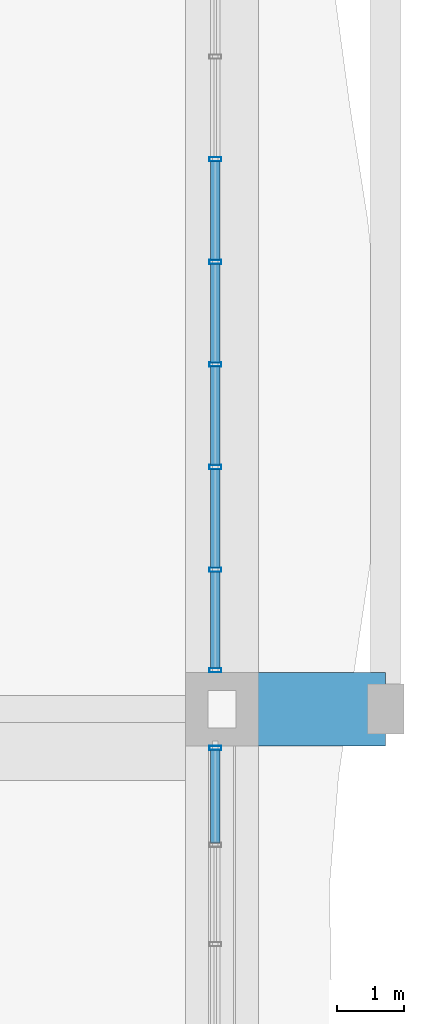
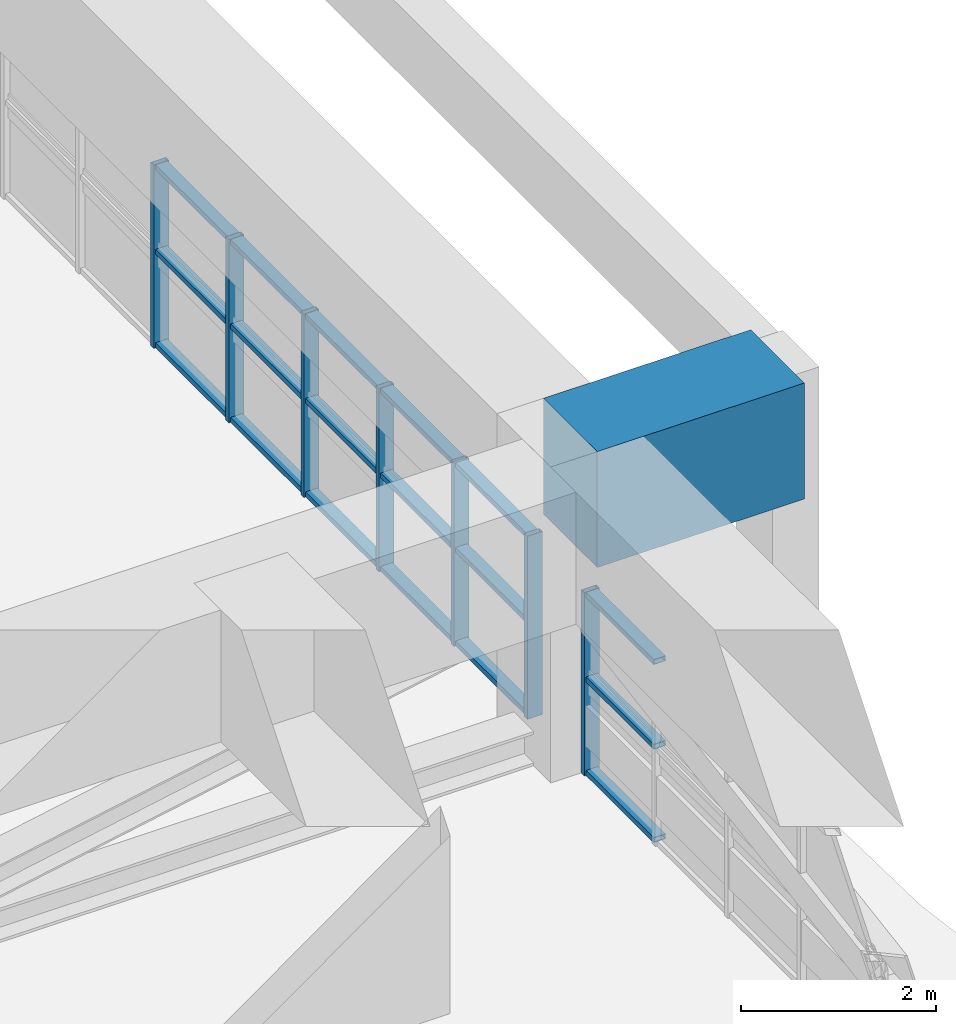
# One storey, part 15 of 35: 25 members, 1 beam, 2 elements without a shape of their own.
"""IFC4 building model written with IfcOpenShell, lengths in metres."""

from ifc_helpers import new_model, si_unit, direction, frame, origin, origin_2d, place, context, subcontext, project, spatial, rectangle, hollow_rectangle, extrude, source, transform, mapped, material, layer, layer_set, material_profile, profile_set, type_object, element, aggregate, save


model = new_model("IFC4")

# Units and contexts
model_context = context("Model", 3, precision=1e-05, world=origin(), true_north=direction((0.0, 1.0)))
body_context = subcontext(model_context, "Body", "Model", "MODEL_VIEW")
ifc_project = project(units=[si_unit("LENGTHUNIT", "METRE"), si_unit("AREAUNIT", "SQUARE_METRE"), si_unit("VOLUMEUNIT", "CUBIC_METRE"), si_unit("PLANEANGLEUNIT", "RADIAN"), si_unit("MASSUNIT", "GRAM", prefix="KILO")], contexts=[model_context])

# Site, building, storey
site_placement = place(None, origin())
site = spatial("IfcSite", under=ifc_project, at=site_placement, CompositionType="ELEMENT")
building_placement = place(site_placement, origin())
building = spatial("IfcBuilding", under=site, at=building_placement, Name="Saelheon Loggia Tower", CompositionType="ELEMENT")
storey_placement = place(building_placement, frame((0.0, 0.0, 70.39990234375)))
storey = spatial("IfcBuildingStorey", under=building, at=storey_placement, Name="L22", CompositionType="ELEMENT", Elevation=70.39990234375)

# Beam
ifc_material_1 = material(Name="Concrete C50/60", Category="concrete")
ifc_material_profile_1 = material_profile(ifc_material_1, rectangle(XDim=1.10009765625, YDim=1.449951171875, at=origin_2d()), Name="RC-1100x1450")
ifc_profile_set_1 = profile_set([ifc_material_profile_1], Name="Concrete C50/60")
beam_type = type_object("IfcBeamType", Name="Beam_PerimTransfer_RC1100x1450", PredefinedType="BEAM", material=ifc_profile_set_1)
shared_shape_1 = source(origin(), body_context, "Body", "SweptSolid", [
    extrude(rectangle(XDim=1.10009765625, YDim=1.449951171875, at=origin_2d()), origin(), (0.0, 0.0, 1.0), 2.449951171875),
])
beam_placement = place(storey_placement, frame((64.0, 18.0, 3.22509765625), z_axis=(1.0, 0.0, 0.0), x_axis=(0.0, 1.0, 0.0)))
element("IfcBeam", 1, at=beam_placement, inside=storey, type_object=beam_type, Name="L22 Loggia Frame Tie Beam LP-E1", PredefinedType="BEAM", context=body_context, shape_type="MappedRepresentation", body=[
    mapped(shared_shape_1, transform((0.0, 0.0, 0.0), scale=1.0)),
])

# Curtain wall, member
ifc_material_2 = material(Name="Anodised Aluminium Acoustic Louvre Curtain Wall", Category="aluminium")
ifc_layer = layer(ifc_material_2, 0.179931640625)
ifc_layer_set = layer_set([ifc_layer], Name="Anodised Aluminium Acoustic Louvre Curtain Wall")
curtain_wall_type = type_object("IfcCurtainWallType", Name="CW_RefugeAcoustic", PredefinedType="NOTDEFINED", material=ifc_layer_set)
curtain_wall_1_placement = place(storey_placement, origin())
curtain_wall_1 = element("IfcCurtainWall", 2, at=curtain_wall_1_placement, inside=storey, type_object=curtain_wall_type, Name="L22 E Refuge Acoustic Curtain Wall 1", PredefinedType="NOTDEFINED")
ifc_material_3 = material(Name="Anodised Aluminium 6063-T6", Category="aluminium")
ifc_material_profile_2 = material_profile(ifc_material_3, hollow_rectangle(XDim=0.06494140625, YDim=0.179931640625, WallThickness=0.00390625, at=origin_2d()), Name="RHS-180x65x4")
ifc_profile_set_2 = profile_set([ifc_material_profile_2], Name="Anodised Aluminium 6063-T6")
member_type_1 = type_object("IfcMemberType", Name="CW_RefugeAcoustic_Mullion", PredefinedType="MULLION", material=ifc_profile_set_2)
shared_shape_2 = source(origin(), body_context, "Body", "SweptSolid", [
    extrude(hollow_rectangle(XDim=0.06494140625, YDim=0.179931640625, WallThickness=0.00390625, at=origin_2d()), origin(), (0.0, 0.0, 1.0), 2.2900390625),
])
member_1_placement = place(storey_placement, frame((63.89990234375, 17.41748046875, 0.0), z_axis=(0.0, 0.0, 1.0), x_axis=(0.0, 1.0, 0.0)))
member_1 = element("IfcMember", 3, at=member_1_placement, type_object=member_type_1, Name="CW5 mullion 8", PredefinedType="MULLION", context=body_context, shape_type="MappedRepresentation", body=[
    mapped(shared_shape_2, transform((0.0, 0.0, 0.0), scale=1.0)),
])

# Curtain wall, members
curtain_wall_2_placement = place(storey_placement, origin())
curtain_wall_2 = element("IfcCurtainWall", 4, at=curtain_wall_2_placement, inside=storey, type_object=curtain_wall_type, Name="L22 E Refuge Acoustic Curtain Wall 2", PredefinedType="NOTDEFINED")
member_2_placement = place(storey_placement, frame((63.89990234375, 18.58251953125, 0.0), z_axis=(0.0, 0.0, 1.0), x_axis=(0.0, 1.0, 0.0)))
member_2 = element("IfcMember", 5, at=member_2_placement, type_object=member_type_1, Name="CW5 mullion 1", PredefinedType="MULLION", context=body_context, shape_type="MappedRepresentation", body=[
    mapped(shared_shape_2, transform((0.0, 0.0, 0.0), scale=1.0)),
])
member_3_placement = place(storey_placement, frame((63.89990234375, 20.08642578125, 0.0), z_axis=(0.0, 0.0, 1.0), x_axis=(0.0, 1.0, 0.0)))
member_3 = element("IfcMember", 6, at=member_3_placement, type_object=member_type_1, Name="CW5 mullion 2", PredefinedType="MULLION", context=body_context, shape_type="MappedRepresentation", body=[
    mapped(shared_shape_2, transform((0.0, 0.0, 0.0), scale=1.0)),
])
member_4_placement = place(storey_placement, frame((63.89990234375, 21.622802734375, 0.0), z_axis=(0.0, 0.0, 1.0), x_axis=(0.0, 1.0, 0.0)))
member_4 = element("IfcMember", 7, at=member_4_placement, type_object=member_type_1, Name="CW5 mullion 3", PredefinedType="MULLION", context=body_context, shape_type="MappedRepresentation", body=[
    mapped(shared_shape_2, transform((0.0, 0.0, 0.0), scale=1.0)),
])
member_5_placement = place(storey_placement, frame((63.89990234375, 23.1591796875, 0.0), z_axis=(0.0, 0.0, 1.0), x_axis=(0.0, 1.0, 0.0)))
member_5 = element("IfcMember", 8, at=member_5_placement, type_object=member_type_1, Name="CW5 mullion 4", PredefinedType="MULLION", context=body_context, shape_type="MappedRepresentation", body=[
    mapped(shared_shape_2, transform((0.0, 0.0, 0.0), scale=1.0)),
])
member_6_placement = place(storey_placement, frame((63.89990234375, 24.695556640625, 0.0), z_axis=(0.0, 0.0, 1.0), x_axis=(0.0, 1.0, 0.0)))
member_6 = element("IfcMember", 9, at=member_6_placement, type_object=member_type_1, Name="CW5 mullion 5", PredefinedType="MULLION", context=body_context, shape_type="MappedRepresentation", body=[
    mapped(shared_shape_2, transform((0.0, 0.0, 0.0), scale=1.0)),
])
member_7_placement = place(storey_placement, frame((63.89990234375, 26.23193359375, 0.0), z_axis=(0.0, 0.0, 1.0), x_axis=(0.0, 1.0, 0.0)))
member_7 = element("IfcMember", 10, at=member_7_placement, type_object=member_type_1, Name="CW5 mullion 6", PredefinedType="MULLION", context=body_context, shape_type="MappedRepresentation", body=[
    mapped(shared_shape_2, transform((0.0, 0.0, 0.0), scale=1.0)),
])

# Member
ifc_material_profile_3 = material_profile(ifc_material_3, hollow_rectangle(XDim=0.06494140625, YDim=0.139892578125, WallThickness=0.00390625, at=origin_2d()), Name="RHS-140x65x4")
ifc_profile_set_3 = profile_set([ifc_material_profile_3], Name="Anodised Aluminium 6063-T6")
member_type_2 = type_object("IfcMemberType", Name="CW_RefugeAcoustic_Transom", PredefinedType="USERDEFINED", material=ifc_profile_set_3)
shared_shape_3 = source(origin(), body_context, "Body", "SweptSolid", [
    extrude(hollow_rectangle(XDim=0.06494140625, YDim=0.139892578125, WallThickness=0.00390625, at=origin_2d()), origin(), (0.0, 0.0, 1.0), 1.38818359375),
])
member_8_placement = place(storey_placement, frame((63.89990234375, 15.996826171875, 0.03271484375), z_axis=(0.0, 1.0, 0.0), x_axis=(0.0, 0.0, 1.0)))
member_8 = element("IfcMember", 11, at=member_8_placement, type_object=member_type_2, Name="CW5 transom 7.1", ObjectType="TRANSOM", PredefinedType="USERDEFINED", context=body_context, shape_type="MappedRepresentation", body=[
    mapped(shared_shape_3, transform((0.0, 0.0, 0.0), scale=1.0)),
])

member_9_placement = place(storey_placement, frame((63.89990234375, 15.996826171875, 1.2001953125), z_axis=(0.0, 1.0, 0.0), x_axis=(0.0, 0.0, 1.0)))
member_9 = element("IfcMember", 12, at=member_9_placement, type_object=member_type_2, Name="CW5 transom 7.2", ObjectType="TRANSOM", PredefinedType="USERDEFINED", context=body_context, shape_type="MappedRepresentation", body=[
    mapped(shared_shape_3, transform((0.0, 0.0, 0.0), scale=1.0)),
])

member_10_placement = place(storey_placement, frame((63.89990234375, 15.996826171875, 2.257568359375), z_axis=(0.0, 1.0, 0.0), x_axis=(0.0, 0.0, 1.0)))
member_10 = element("IfcMember", 13, at=member_10_placement, type_object=member_type_2, Name="CW5 transom 7.3", ObjectType="TRANSOM", PredefinedType="USERDEFINED", context=body_context, shape_type="MappedRepresentation", body=[
    mapped(shared_shape_3, transform((0.0, 0.0, 0.0), scale=1.0)),
])

aggregate(curtain_wall_1, [member_1, member_8, member_9, member_10])

shared_shape_4 = source(origin(), body_context, "Body", "SweptSolid", [
    extrude(hollow_rectangle(XDim=0.06494140625, YDim=0.139892578125, WallThickness=0.00390625, at=origin_2d()), origin(), (0.0, 0.0, 1.0), 1.43896484375),
])
member_11_placement = place(storey_placement, frame((63.89990234375, 18.614990234375, 0.03271484375), z_axis=(0.0, 1.0, 0.0), x_axis=(0.0, 0.0, 1.0)))
member_11 = element("IfcMember", 14, at=member_11_placement, type_object=member_type_2, Name="CW5 transom 1.1", ObjectType="TRANSOM", PredefinedType="USERDEFINED", context=body_context, shape_type="MappedRepresentation", body=[
    mapped(shared_shape_4, transform((0.0, 0.0, 0.0), scale=1.0)),
])

member_12_placement = place(storey_placement, frame((63.89990234375, 18.614990234375, 1.2001953125), z_axis=(0.0, 1.0, 0.0), x_axis=(0.0, 0.0, 1.0)))
member_12 = element("IfcMember", 15, at=member_12_placement, type_object=member_type_2, Name="CW5 transom 1.2", ObjectType="TRANSOM", PredefinedType="USERDEFINED", context=body_context, shape_type="MappedRepresentation", body=[
    mapped(shared_shape_4, transform((0.0, 0.0, 0.0), scale=1.0)),
])

member_13_placement = place(storey_placement, frame((63.89990234375, 18.614990234375, 2.257568359375), z_axis=(0.0, 1.0, 0.0), x_axis=(0.0, 0.0, 1.0)))
member_13 = element("IfcMember", 16, at=member_13_placement, type_object=member_type_2, Name="CW5 transom 1.3", ObjectType="TRANSOM", PredefinedType="USERDEFINED", context=body_context, shape_type="MappedRepresentation", body=[
    mapped(shared_shape_4, transform((0.0, 0.0, 0.0), scale=1.0)),
])

shared_shape_5 = source(origin(), body_context, "Body", "SweptSolid", [
    extrude(hollow_rectangle(XDim=0.06494140625, YDim=0.139892578125, WallThickness=0.00390625, at=origin_2d()), origin(), (0.0, 0.0, 1.0), 1.471435546875),
])
member_14_placement = place(storey_placement, frame((63.89990234375, 20.118896484375, 0.03271484375), z_axis=(0.0, 1.0, 0.0), x_axis=(0.0, 0.0, 1.0)))
member_14 = element("IfcMember", 17, at=member_14_placement, type_object=member_type_2, Name="CW5 transom 2.1", ObjectType="TRANSOM", PredefinedType="USERDEFINED", context=body_context, shape_type="MappedRepresentation", body=[
    mapped(shared_shape_5, transform((0.0, 0.0, 0.0), scale=1.0)),
])

member_15_placement = place(storey_placement, frame((63.89990234375, 20.118896484375, 1.2001953125), z_axis=(0.0, 1.0, 0.0), x_axis=(0.0, 0.0, 1.0)))
member_15 = element("IfcMember", 18, at=member_15_placement, type_object=member_type_2, Name="CW5 transom 2.2", ObjectType="TRANSOM", PredefinedType="USERDEFINED", context=body_context, shape_type="MappedRepresentation", body=[
    mapped(shared_shape_5, transform((0.0, 0.0, 0.0), scale=1.0)),
])

member_16_placement = place(storey_placement, frame((63.89990234375, 20.118896484375, 2.257568359375), z_axis=(0.0, 1.0, 0.0), x_axis=(0.0, 0.0, 1.0)))
member_16 = element("IfcMember", 19, at=member_16_placement, type_object=member_type_2, Name="CW5 transom 2.3", ObjectType="TRANSOM", PredefinedType="USERDEFINED", context=body_context, shape_type="MappedRepresentation", body=[
    mapped(shared_shape_5, transform((0.0, 0.0, 0.0), scale=1.0)),
])

member_17_placement = place(storey_placement, frame((63.89990234375, 21.6552734375, 0.03271484375), z_axis=(0.0, 1.0, 0.0), x_axis=(0.0, 0.0, 1.0)))
member_17 = element("IfcMember", 20, at=member_17_placement, type_object=member_type_2, Name="CW5 transom 3.1", ObjectType="TRANSOM", PredefinedType="USERDEFINED", context=body_context, shape_type="MappedRepresentation", body=[
    mapped(shared_shape_5, transform((0.0, 0.0, 0.0), scale=1.0)),
])

member_18_placement = place(storey_placement, frame((63.89990234375, 21.6552734375, 1.2001953125), z_axis=(0.0, 1.0, 0.0), x_axis=(0.0, 0.0, 1.0)))
member_18 = element("IfcMember", 21, at=member_18_placement, type_object=member_type_2, Name="CW5 transom 3.2", ObjectType="TRANSOM", PredefinedType="USERDEFINED", context=body_context, shape_type="MappedRepresentation", body=[
    mapped(shared_shape_5, transform((0.0, 0.0, 0.0), scale=1.0)),
])

member_19_placement = place(storey_placement, frame((63.89990234375, 21.6552734375, 2.257568359375), z_axis=(0.0, 1.0, 0.0), x_axis=(0.0, 0.0, 1.0)))
member_19 = element("IfcMember", 22, at=member_19_placement, type_object=member_type_2, Name="CW5 transom 3.3", ObjectType="TRANSOM", PredefinedType="USERDEFINED", context=body_context, shape_type="MappedRepresentation", body=[
    mapped(shared_shape_5, transform((0.0, 0.0, 0.0), scale=1.0)),
])

shared_shape_6 = source(origin(), body_context, "Body", "SweptSolid", [
    extrude(hollow_rectangle(XDim=0.06494140625, YDim=0.139892578125, WallThickness=0.00390625, at=origin_2d()), origin(), (0.0, 0.0, 1.0), 1.47119140625),
])
member_20_placement = place(storey_placement, frame((63.89990234375, 23.191650390625, 0.03271484375), z_axis=(0.0, 1.0, 0.0), x_axis=(0.0, 0.0, 1.0)))
member_20 = element("IfcMember", 23, at=member_20_placement, type_object=member_type_2, Name="CW5 transom 4.1", ObjectType="TRANSOM", PredefinedType="USERDEFINED", context=body_context, shape_type="MappedRepresentation", body=[
    mapped(shared_shape_6, transform((0.0, 0.0, 0.0), scale=1.0)),
])

member_21_placement = place(storey_placement, frame((63.89990234375, 23.191650390625, 1.2001953125), z_axis=(0.0, 1.0, 0.0), x_axis=(0.0, 0.0, 1.0)))
member_21 = element("IfcMember", 24, at=member_21_placement, type_object=member_type_2, Name="CW5 transom 4.2", ObjectType="TRANSOM", PredefinedType="USERDEFINED", context=body_context, shape_type="MappedRepresentation", body=[
    mapped(shared_shape_6, transform((0.0, 0.0, 0.0), scale=1.0)),
])

member_22_placement = place(storey_placement, frame((63.89990234375, 23.191650390625, 2.257568359375), z_axis=(0.0, 1.0, 0.0), x_axis=(0.0, 0.0, 1.0)))
member_22 = element("IfcMember", 25, at=member_22_placement, type_object=member_type_2, Name="CW5 transom 4.3", ObjectType="TRANSOM", PredefinedType="USERDEFINED", context=body_context, shape_type="MappedRepresentation", body=[
    mapped(shared_shape_6, transform((0.0, 0.0, 0.0), scale=1.0)),
])

member_23_placement = place(storey_placement, frame((63.89990234375, 24.72802734375, 0.03271484375), z_axis=(0.0, 1.0, 0.0), x_axis=(0.0, 0.0, 1.0)))
member_23 = element("IfcMember", 26, at=member_23_placement, type_object=member_type_2, Name="CW5 transom 5.1", ObjectType="TRANSOM", PredefinedType="USERDEFINED", context=body_context, shape_type="MappedRepresentation", body=[
    mapped(shared_shape_6, transform((0.0, 0.0, 0.0), scale=1.0)),
])

member_24_placement = place(storey_placement, frame((63.89990234375, 24.72802734375, 1.2001953125), z_axis=(0.0, 1.0, 0.0), x_axis=(0.0, 0.0, 1.0)))
member_24 = element("IfcMember", 27, at=member_24_placement, type_object=member_type_2, Name="CW5 transom 5.2", ObjectType="TRANSOM", PredefinedType="USERDEFINED", context=body_context, shape_type="MappedRepresentation", body=[
    mapped(shared_shape_6, transform((0.0, 0.0, 0.0), scale=1.0)),
])

member_25_placement = place(storey_placement, frame((63.89990234375, 24.72802734375, 2.257568359375), z_axis=(0.0, 1.0, 0.0), x_axis=(0.0, 0.0, 1.0)))
member_25 = element("IfcMember", 28, at=member_25_placement, type_object=member_type_2, Name="CW5 transom 5.3", ObjectType="TRANSOM", PredefinedType="USERDEFINED", context=body_context, shape_type="MappedRepresentation", body=[
    mapped(shared_shape_6, transform((0.0, 0.0, 0.0), scale=1.0)),
])

aggregate(curtain_wall_2, [member_2, member_3, member_4, member_5, member_6, member_7, member_11, member_12, member_13, member_14, member_15, member_16, member_17, member_18, member_19, member_20, member_21, member_22, member_23, member_24, member_25])

save(model, "model.ifc")
